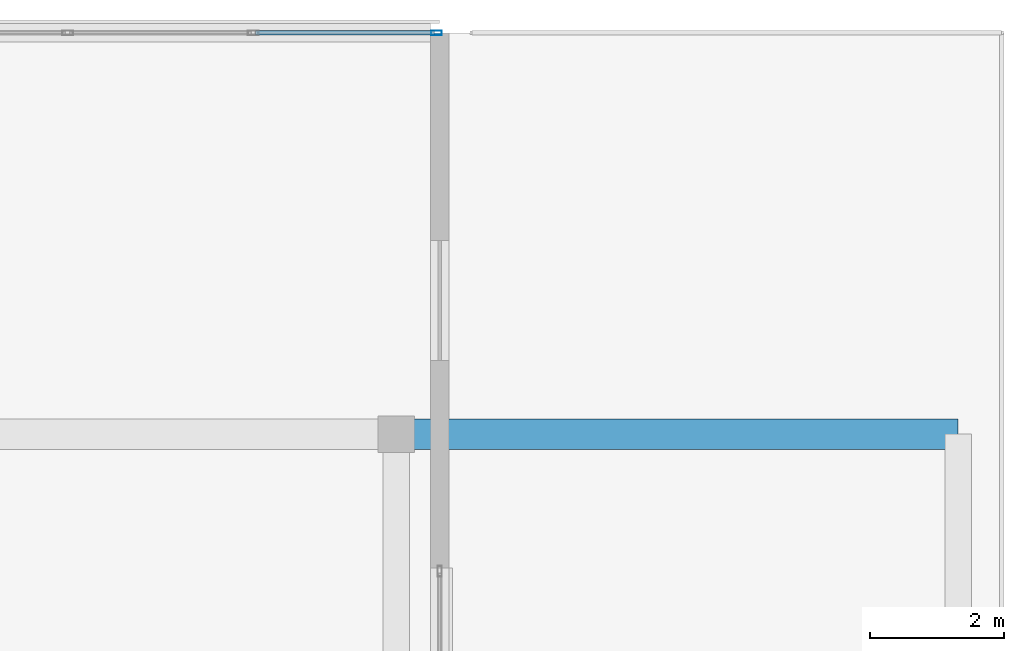
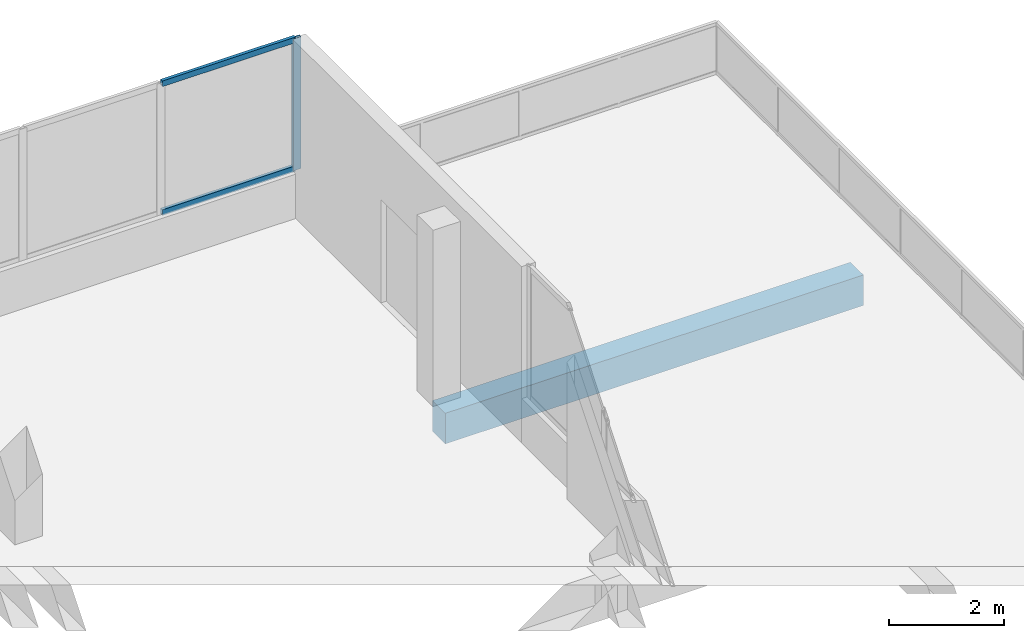
# One storey, part 50 of 67: 3 members, 1 beam, 1 element without a shape of its own.
"""IFC4 building model written with IfcOpenShell, lengths in metres."""

import ifcopenshell
import ifcopenshell.guid

model = None  # the IFC model being written
_history = None  # IfcOwnerHistory: only IFC2X3 demands one
_inside = {}  # id of a spatial element -> (the spatial element, [elements in it])
_under = {}  # id of a project, library or spatial element -> (it, [spatial elements below it])
_declared = {}  # id of a project -> (the project, [libraries it declares])
_typed = {}  # id of a type object -> (the type object, [elements of that type])
_made_of = {}  # id of a material, layer set ... -> (it, [elements and type objects made of it])


def new_model(schema):
    """Start an empty IFC model of exactly this schema.

    Asked for "IFC4X3", IfcOpenShell would pick the latest addendum, in which some entities
    have other attributes; the version numbers below select the first issue.
    IFC2X3 requires an IfcOwnerHistory on every rooted entity: one is made here for all.
    """
    global model, _history
    if schema == "IFC4X3":
        model = ifcopenshell.file(schema_version=(4, 3, 0, 0))
    else:
        model = ifcopenshell.file(schema=schema)
    _inside.clear()
    _under.clear()
    _declared.clear()
    _typed.clear()
    _made_of.clear()
    _history = None
    if model.schema == "IFC2X3":
        org = make("IfcOrganization", Name="unknown")
        user = make(
            "IfcPersonAndOrganization",
            ThePerson=make("IfcPerson", FamilyName="unknown"),
            TheOrganization=org,
        )
        app = make(
            "IfcApplication",
            ApplicationDeveloper=org,
            Version="unknown",
            ApplicationFullName="unknown",
            ApplicationIdentifier="unknown",
        )
        _history = make(
            "IfcOwnerHistory",
            OwningUser=user,
            OwningApplication=app,
            ChangeAction="ADDED",
            CreationDate=0,
        )
    return model


def make(cls, **values):
    """One entity of the class cls with the attributes given. An attribute that is None is left unset."""
    return model.create_entity(
        cls, **{name: value for name, value in values.items() if value is not None}
    )


def rooted(cls, **values):
    """An entity with a GlobalId (a new one), such as an element, a storey or a relation."""
    return make(cls, GlobalId=ifcopenshell.guid.new(), OwnerHistory=_history, **values)


def si_unit(unit_type, name, prefix=None):
    """IfcSIUnit, for example si_unit("LENGTHUNIT", "METRE", prefix="MILLI")."""
    return make("IfcSIUnit", UnitType=unit_type, Prefix=prefix, Name=name)


def assignment(units):
    """IfcUnitAssignment: the units of a project."""
    return None if units is None else make("IfcUnitAssignment", Units=units)


def point(xyz):
    """IfcCartesianPoint."""
    return None if xyz is None else make("IfcCartesianPoint", Coordinates=xyz)


def direction(xyz):
    """IfcDirection."""
    return None if xyz is None else make("IfcDirection", DirectionRatios=xyz)


def frame(location, z_axis=None, x_axis=None):
    """IfcAxis2Placement3D, a coordinate frame: its origin and axes. An axis left out is left unset."""
    return make(
        "IfcAxis2Placement3D",
        Location=point(location),
        Axis=direction(z_axis),
        RefDirection=direction(x_axis),
    )


def frame_2d(location, x_axis=None):
    """IfcAxis2Placement2D, a coordinate frame in the plane: its origin and x axis."""
    return make(
        "IfcAxis2Placement2D", Location=point(location), RefDirection=direction(x_axis)
    )


def origin():
    """The frame at (0, 0, 0) with its axes left unset."""
    return frame((0.0, 0.0, 0.0))


def origin_2d():
    """The frame at (0, 0) in the plane with its x axis left unset."""
    return frame_2d((0.0, 0.0))


def place(relative_to, where):
    """IfcLocalPlacement: puts the frame where relative to a parent placement (None: the world)."""
    return make(
        "IfcLocalPlacement", PlacementRelTo=relative_to, RelativePlacement=where
    )


def context(
    kind, dimensions, precision=None, world=None, true_north=None, identifier=None
):
    """IfcGeometricRepresentationContext, for example the 3D "Model" context."""
    return make(
        "IfcGeometricRepresentationContext",
        ContextIdentifier=identifier,
        ContextType=kind,
        CoordinateSpaceDimension=dimensions,
        Precision=precision,
        WorldCoordinateSystem=world,
        TrueNorth=true_north,
    )


def subcontext(parent, identifier, kind, view, scale=None):
    """IfcGeometricRepresentationSubContext, for example "Body" below "Model"."""
    return make(
        "IfcGeometricRepresentationSubContext",
        ContextIdentifier=identifier,
        ContextType=kind,
        ParentContext=parent,
        TargetScale=scale,
        TargetView=view,
    )


def project(units=None, contexts=None):
    """IfcProject with its units and contexts."""
    return rooted(
        "IfcProject",
        Name="project",
        RepresentationContexts=contexts,
        UnitsInContext=assignment(units),
    )


def spatial(cls, under=None, at=None, **own):
    """A site, building, storey or space (cls), placed at a placement, below another one or the project."""
    s = rooted(cls, ObjectPlacement=at, **own)
    if under is not None:
        _under.setdefault(under.id(), (under, []))[1].append(s)
    return s


def profile(cls, at=None, kind="AREA", **sizes):
    """A parametric profile (cls). Its sizes go by their IFC names, for example OverallWidth=200.0."""
    return make(cls, ProfileType=kind, Position=at, **sizes)


def rectangle(**sizes):
    """IfcRectangleProfileDef."""
    return profile("IfcRectangleProfileDef", **sizes)


def hollow_rectangle(**sizes):
    """IfcRectangleHollowProfileDef."""
    return profile("IfcRectangleHollowProfileDef", **sizes)


def extrude(swept, where, along, depth):
    """IfcExtrudedAreaSolid: the profile swept, set in the frame where, extruded along a direction by depth."""
    return make(
        "IfcExtrudedAreaSolid",
        SweptArea=swept,
        Position=where,
        ExtrudedDirection=direction(along),
        Depth=depth,
    )


def shape(context_of_items, identifier, shape_type, items):
    """IfcShapeRepresentation: the items that make up one representation, for example the "Body"."""
    return make(
        "IfcShapeRepresentation",
        ContextOfItems=context_of_items,
        RepresentationIdentifier=identifier,
        RepresentationType=shape_type,
        Items=items,
    )


def material(Name=None, Category=None):
    """IfcMaterial."""
    return make("IfcMaterial", Name=Name, Category=Category)


def material_profile(
    of_material, cross_section, Name=None, Category=None, Priority=None
):
    """IfcMaterialProfile: a cross section and its material."""
    return make(
        "IfcMaterialProfile",
        Name=Name,
        Material=of_material,
        Profile=cross_section,
        Priority=Priority,
        Category=Category,
    )


def profile_set(profiles, Name=None, composite=None):
    """IfcMaterialProfileSet."""
    return make(
        "IfcMaterialProfileSet",
        Name=Name,
        MaterialProfiles=profiles,
        CompositeProfile=composite,
    )


def made_of(thing, what):
    """Note that an element or type object is made of a material, layer set ...; save() writes the relation."""
    if what is not None:
        _made_of.setdefault(what.id(), (what, []))[1].append(thing)
    return thing


def type_object(cls, material=None, **own):
    """A type object (cls), such as IfcWallType, which elements share."""
    return made_of(rooted(cls, **own), material)


def element(
    cls,
    number,
    at=None,
    inside=None,
    cuts=None,
    type_object=None,
    material=None,
    context=None,
    identifier="Body",
    shape_type=None,
    held_by="IfcProductDefinitionShape",
    body=None,
    shapes=None,
    **own,
):
    """One element of the class cls, such as IfcWall. Its Tag is "e" and its number.

    at: its placement. inside: the storey or other place that contains it. cuts: it is an
    opening in that element (IfcRelVoidsElement). A single representation is given by context,
    identifier, shape_type and body (its items); several are given by shapes. held_by: the class
    of the entity that holds the representations. save() writes the other relations.
    """
    e = rooted(cls, Tag="e%d" % number, ObjectPlacement=at, **own)
    if body is not None:
        shapes = [shape(context, identifier, shape_type, body)]
    if shapes is not None:
        e.Representation = make(held_by, Representations=shapes)
    if inside is not None:
        _inside.setdefault(inside.id(), (inside, []))[1].append(e)
    if cuts is not None:
        rooted(
            "IfcRelVoidsElement", RelatingBuildingElement=cuts, RelatedOpeningElement=e
        )
    if type_object is not None:
        _typed.setdefault(type_object.id(), (type_object, []))[1].append(e)
    return made_of(e, material)


def aggregate(whole, parts):
    """IfcRelAggregates: a whole, such as a stair, and the parts it consists of."""
    return rooted("IfcRelAggregates", RelatingObject=whole, RelatedObjects=parts)


def save(model, path):
    """Write the relations noted so far, then the file.

    IfcRelAggregates (storeys below a building ...), IfcRelContainedInSpatialStructure (elements
    in a storey), IfcRelDefinesByType, IfcRelAssociatesMaterial and IfcRelDeclares: one each for
    every whole, place, type object, material and project.
    """
    for whole, parts in _under.values():
        aggregate(whole, parts)
    for where, things in _inside.values():
        rooted(
            "IfcRelContainedInSpatialStructure",
            RelatedElements=things,
            RelatingStructure=where,
        )
    for kind, things in _typed.values():
        rooted("IfcRelDefinesByType", RelatedObjects=things, RelatingType=kind)
    for what, things in _made_of.values():
        rooted("IfcRelAssociatesMaterial", RelatedObjects=things, RelatingMaterial=what)
    for by, libraries in _declared.values():
        rooted("IfcRelDeclares", RelatingContext=by, RelatedDefinitions=libraries)
    model.write(path)


model = new_model("IFC4")

# Units and contexts
model_context = context("Model", 3, precision=1e-05, world=origin(), true_north=direction((0.0, 1.0)))
body_context = subcontext(model_context, "Body", "Model", "MODEL_VIEW")
ifc_project = project(units=[si_unit("LENGTHUNIT", "METRE"), si_unit("AREAUNIT", "SQUARE_METRE"), si_unit("VOLUMEUNIT", "CUBIC_METRE"), si_unit("PLANEANGLEUNIT", "RADIAN"), si_unit("MASSUNIT", "GRAM", prefix="KILO")], contexts=[model_context])

# Site, building, storey
site_placement = place(None, origin())
site = spatial("IfcSite", under=ifc_project, at=site_placement, CompositionType="ELEMENT")
building_placement = place(site_placement, origin())
building = spatial("IfcBuilding", under=site, at=building_placement, Name="Selatvlak General Hospital", CompositionType="ELEMENT")
storey_placement = place(building_placement, frame((0.0, 0.0, 35.39990234375)))
storey = spatial("IfcBuildingStorey", under=building, at=storey_placement, Name="L08", CompositionType="ELEMENT", Elevation=35.39990234375)

# Beam
ifc_material_1 = material(Name="Concrete C40/50", Category="concrete")
ifc_material_profile_1 = material_profile(ifc_material_1, rectangle(XDim=0.449951171875, YDim=0.64990234375, at=origin_2d()), Name="RC-BM 450x650")
ifc_profile_set_1 = profile_set([ifc_material_profile_1], Name="Concrete C40/50")
beam_type = type_object("IfcBeamType", Name="BM-G04", PredefinedType="BEAM", material=ifc_profile_set_1)
beam_placement = place(storey_placement, frame((156.550048828125, 114.0, -0.596923828125), z_axis=(1.0, 0.0, 0.0), x_axis=(0.0, 1.0, 0.0)))
element("IfcBeam", 1, at=beam_placement, inside=storey, type_object=beam_type, Name="Beam BMR-L08-2627", PredefinedType="BEAM", context=body_context, shape_type="SweptSolid", body=[
    extrude(rectangle(XDim=0.449951171875, YDim=0.64990234375, at=origin_2d()), origin(), (0.0, 0.0, 1.0), 8.39990234375),
])

# Curtain wall, members
ifc_material_2 = material(Name="Solar-control Low-E double glazing", Category="glass")
curtain_wall_type = type_object("IfcCurtainWallType", Name="CW-CW-02", PredefinedType="USERDEFINED", material=ifc_material_2)
curtain_wall_placement = place(storey_placement, origin())
curtain_wall = element("IfcCurtainWall", 2, at=curtain_wall_placement, inside=storey, type_object=curtain_wall_type, Name="Glazed facade curtain wall CW-L08-0697", ObjectType="UNITISED CURTAIN WALL", PredefinedType="USERDEFINED")
ifc_material_3 = material(Name="Dark anodised aluminium mullion", Category="aluminium")
ifc_material_profile_2 = material_profile(ifc_material_3, hollow_rectangle(XDim=0.06494140625, YDim=0.159912109375, WallThickness=0.00390625, at=origin_2d()), Name="AL-MUL 65x160x4")
ifc_profile_set_2 = profile_set([ifc_material_profile_2], Name="Dark anodised aluminium mullion")
member_type_1 = type_object("IfcMemberType", Name="CWM-01", PredefinedType="MULLION", material=ifc_profile_set_2)
member_1_placement = place(storey_placement, frame((157.151611328125, 120.0, 0.940185546875), z_axis=(0.0, 0.0, 1.0), x_axis=(0.0, 1.0, 0.0)))
member_1 = element("IfcMember", 3, at=member_1_placement, type_object=member_type_1, Name="CW-02 mullion 4", PredefinedType="MULLION", context=body_context, shape_type="SweptSolid", body=[
    extrude(hollow_rectangle(XDim=0.06494140625, YDim=0.159912109375, WallThickness=0.00390625, at=origin_2d()), origin(), (0.0, 0.0, 1.0), 2.7998046875),
])
ifc_material_profile_3 = material_profile(ifc_material_3, hollow_rectangle(XDim=0.06494140625, YDim=0.1201171875, WallThickness=0.00390625, at=origin_2d()), Name="AL-TRN 65x120x4")
ifc_profile_set_3 = profile_set([ifc_material_profile_3], Name="Dark anodised aluminium mullion")
member_type_2 = type_object("IfcMemberType", Name="CWT-01", PredefinedType="USERDEFINED", material=ifc_profile_set_3)
member_2_placement = place(storey_placement, frame((154.443115234375, 120.0, 0.97265625), z_axis=(1.0, 0.0, 0.0), x_axis=(0.0, 1.0, 0.0)))
member_2 = element("IfcMember", 4, at=member_2_placement, type_object=member_type_2, Name="CW-02 transom 3.1", ObjectType="TRANSOM", PredefinedType="USERDEFINED", context=body_context, shape_type="SweptSolid", body=[
    extrude(hollow_rectangle(XDim=0.06494140625, YDim=0.1201171875, WallThickness=0.00390625, at=origin_2d()), origin(), (0.0, 0.0, 1.0), 2.67578125),
])
member_3_placement = place(storey_placement, frame((154.443115234375, 120.0, 3.70751953125), z_axis=(1.0, 0.0, 0.0), x_axis=(0.0, 1.0, 0.0)))
member_3 = element("IfcMember", 5, at=member_3_placement, type_object=member_type_2, Name="CW-02 transom 3.2", ObjectType="TRANSOM", PredefinedType="USERDEFINED", context=body_context, shape_type="SweptSolid", body=[
    extrude(hollow_rectangle(XDim=0.06494140625, YDim=0.1201171875, WallThickness=0.00390625, at=origin_2d()), origin(), (0.0, 0.0, 1.0), 2.67578125),
])
aggregate(curtain_wall, [member_1, member_2, member_3])

save(model, "model.ifc")
